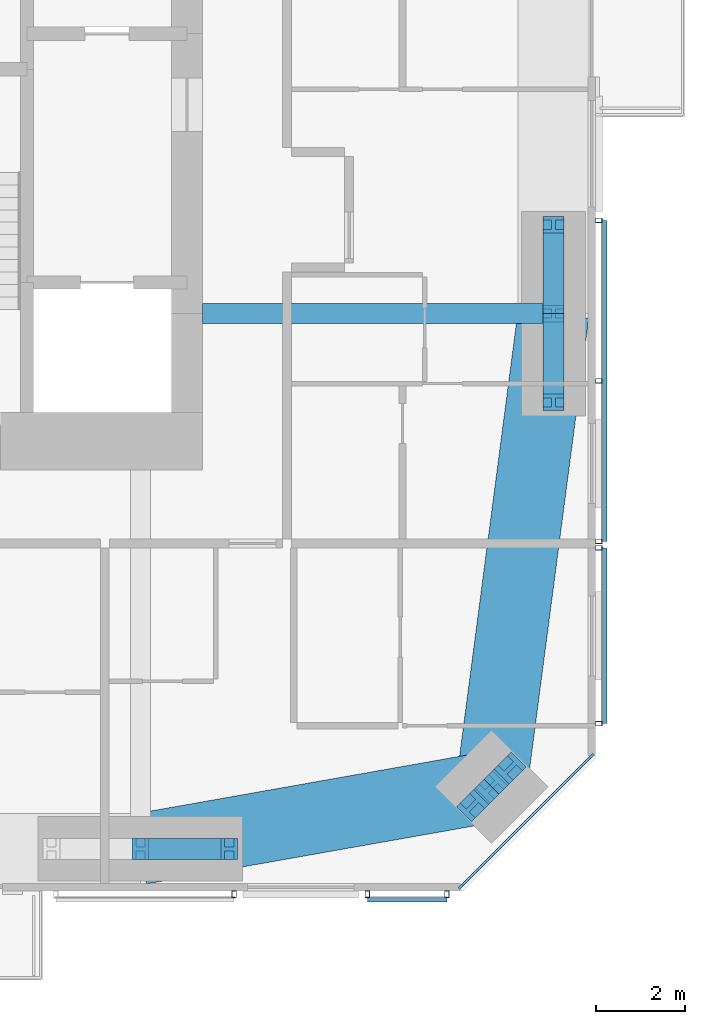
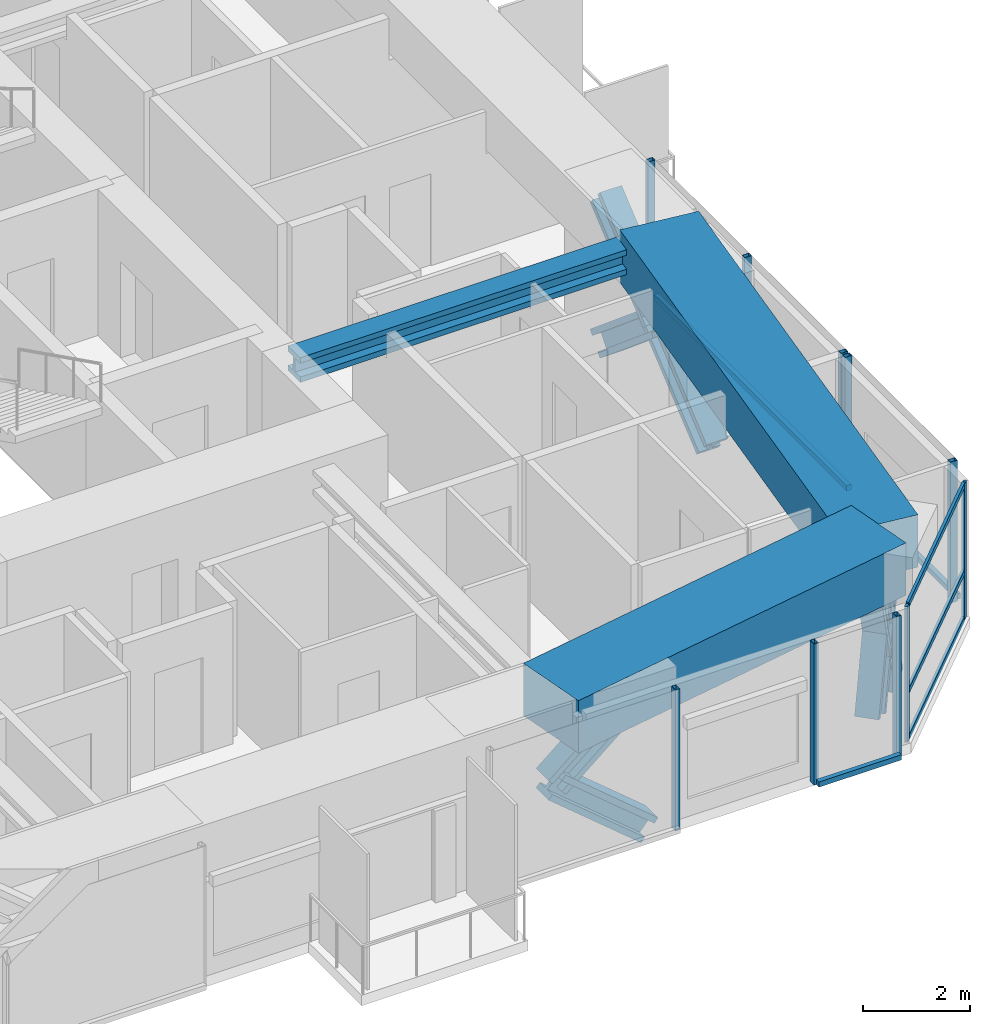
# One storey, part 7 of 23: 26 members, 3 beams, 5 elements without a shape of their own.
"""IFC4 building model written with IfcOpenShell, lengths in metres."""

from ifc_helpers import new_model, si_unit, direction, frame, origin, origin_2d, place, context, subcontext, project, spatial, rectangle, hollow_rectangle, i_section, extrude, material, material_profile, profile_set, type_object, element, aggregate, save


model = new_model("IFC4")

# Units and contexts
model_context = context("Model", 3, precision=1e-05, world=origin(), true_north=direction((0.0, 1.0)))
body_context = subcontext(model_context, "Body", "Model", "MODEL_VIEW")
ifc_project = project(units=[si_unit("LENGTHUNIT", "METRE"), si_unit("AREAUNIT", "SQUARE_METRE"), si_unit("VOLUMEUNIT", "CUBIC_METRE"), si_unit("PLANEANGLEUNIT", "RADIAN"), si_unit("MASSUNIT", "GRAM", prefix="KILO")], contexts=[model_context])

# Site, building, storey
site_placement = place(None, origin())
site = spatial("IfcSite", under=ifc_project, at=site_placement, CompositionType="ELEMENT")
building_placement = place(site_placement, origin())
building = spatial("IfcBuilding", under=site, at=building_placement, Name="Jalousie Tower", CompositionType="ELEMENT")
storey_placement = place(building_placement, frame((0.0, 0.0, 164.39990234375)))
storey = spatial("IfcBuildingStorey", under=building, at=storey_placement, Name="L44", CompositionType="ELEMENT", Elevation=164.39990234375)

# Curtain wall, members
ifc_material_1 = material(Name="Aluminium curtain wall", Category="aluminium")
curtain_wall_type_1 = type_object("IfcCurtainWallType", Name="CORNER WINDOW WALL", PredefinedType="USERDEFINED", material=ifc_material_1)
curtain_wall_1_placement = place(storey_placement, origin())
curtain_wall_1 = element("IfcCurtainWall", 1, at=curtain_wall_1_placement, inside=storey, type_object=curtain_wall_type_1, Name="Corner Window Wall L44 2", ObjectType="CORNER WINDOW WALL", PredefinedType="USERDEFINED")
ifc_material_2 = material(Name="Aluminium mullion", Category="aluminium")
ifc_material_profile_1 = material_profile(ifc_material_2, rectangle(XDim=0.06005859375, YDim=0.14990234375, at=origin_2d()), Name="MULLION 60x150")
ifc_profile_set_1 = profile_set([ifc_material_profile_1], Name="Aluminium mullion")
member_type_1 = type_object("IfcMemberType", Name="CORNER WINDOW WALL MULLION", PredefinedType="MULLION", material=ifc_profile_set_1)
member_1_placement = place(storey_placement, frame((49.969970703125, 0.108642578125, 0.0), z_axis=(0.0, 0.0, 1.0), x_axis=(-0.707106781187, 0.707106781187, 0.0)))
member_1 = element("IfcMember", 2, at=member_1_placement, type_object=member_type_1, Name="CW-C mullion 1", PredefinedType="MULLION", context=body_context, shape_type="SweptSolid", body=[
    extrude(rectangle(XDim=0.06005859375, YDim=0.14990234375, at=origin_2d()), origin(), (0.0, 0.0, 1.0), 3.110107421875),
])
member_2_placement = place(storey_placement, frame((52.891357421875, 3.030029296875, 0.0), z_axis=(0.0, 0.0, 1.0), x_axis=(-0.707106781187, 0.707106781187, 0.0)))
member_2 = element("IfcMember", 3, at=member_2_placement, type_object=member_type_1, Name="CW-C mullion 2", PredefinedType="MULLION", context=body_context, shape_type="SweptSolid", body=[
    extrude(rectangle(XDim=0.06005859375, YDim=0.14990234375, at=origin_2d()), origin(), (0.0, 0.0, 1.0), 3.110107421875),
])
ifc_material_3 = material(Name="Aluminium transom", Category="aluminium")
ifc_material_profile_2 = material_profile(ifc_material_3, rectangle(XDim=0.06005859375, YDim=0.1201171875, at=origin_2d()), Name="TRANSOM 60x120")
ifc_profile_set_2 = profile_set([ifc_material_profile_2], Name="Aluminium transom")
member_type_2 = type_object("IfcMemberType", Name="CORNER WINDOW WALL TRANSOM", PredefinedType="USERDEFINED", material=ifc_profile_set_2)
member_3_placement = place(storey_placement, frame((49.9912109375, 0.1298828125, 0.030029296875), z_axis=(0.707106781187, 0.707106781187, 0.0), x_axis=(-0.707106781187, 0.707106781187, 0.0)))
member_3 = element("IfcMember", 4, at=member_3_placement, type_object=member_type_2, Name="CW-C transom 1.1", ObjectType="TRANSOM", PredefinedType="USERDEFINED", context=body_context, shape_type="SweptSolid", body=[
    extrude(rectangle(XDim=0.06005859375, YDim=0.1201171875, at=origin_2d()), origin(), (0.0, 0.0, 1.0), 4.0712890625),
])
member_4_placement = place(storey_placement, frame((49.9912109375, 0.1298828125, 1.10009765625), z_axis=(0.707106781187, 0.707106781187, 0.0), x_axis=(-0.707106781187, 0.707106781187, 0.0)))
member_4 = element("IfcMember", 5, at=member_4_placement, type_object=member_type_2, Name="CW-C transom 1.2", ObjectType="TRANSOM", PredefinedType="USERDEFINED", context=body_context, shape_type="SweptSolid", body=[
    extrude(rectangle(XDim=0.06005859375, YDim=0.1201171875, at=origin_2d()), origin(), (0.0, 0.0, 1.0), 4.0712890625),
])
member_5_placement = place(storey_placement, frame((49.9912109375, 0.1298828125, 3.080078125), z_axis=(0.707106781187, 0.707106781187, 0.0), x_axis=(-0.707106781187, 0.707106781187, 0.0)))
member_5 = element("IfcMember", 6, at=member_5_placement, type_object=member_type_2, Name="CW-C transom 1.3", ObjectType="TRANSOM", PredefinedType="USERDEFINED", context=body_context, shape_type="SweptSolid", body=[
    extrude(rectangle(XDim=0.06005859375, YDim=0.1201171875, at=origin_2d()), origin(), (0.0, 0.0, 1.0), 4.0712890625),
])
aggregate(curtain_wall_1, [member_1, member_2, member_3, member_4, member_5])

# Beam
ifc_material_4 = material(Name="Steel ASTM A992 Grade 50", Category="steel")
ifc_material_profile_3 = material_profile(ifc_material_4, i_section(OverallWidth=0.45458984375, OverallDepth=0.569091796875, WebThickness=0.077880859375, FlangeThickness=0.124755859375, at=origin_2d()), Name="W14X730")
ifc_profile_set_3 = profile_set([ifc_material_profile_3], Name="Steel ASTM A992 Grade 50")
beam_type_1 = type_object("IfcBeamType", Name="LEAN COLLECTOR W14X730", PredefinedType="BEAM", material=ifc_profile_set_3)
beam_1_placement = place(storey_placement, frame((52.050048828125, 13.0, 2.82568359375), z_axis=(-1.0, 0.0, 0.0), x_axis=(0.0, -1.0, 0.0)))
element("IfcBeam", 7, at=beam_1_placement, inside=storey, type_object=beam_type_1, Name="Lean collector under L45", PredefinedType="BEAM", context=body_context, shape_type="SweptSolid", body=[
    extrude(i_section(OverallWidth=0.45458984375, OverallDepth=0.569091796875, WebThickness=0.077880859375, FlangeThickness=0.124755859375, at=origin_2d()), origin(), (0.0, 0.0, 1.0), 7.900146484375),
])

# Members
ifc_material_5 = material(Name="Steel ASTM A992 Grade 50", Category="steel")
ifc_material_profile_4 = material_profile(ifc_material_5, i_section(OverallWidth=0.472412109375, OverallDepth=0.5791015625, WebThickness=0.094970703125, FlangeThickness=0.1298828125, at=origin_2d()), Name="W14X808")
ifc_profile_set_4 = profile_set([ifc_material_profile_4], Name="Steel ASTM A992 Grade 50")
member_type_3 = type_object("IfcMemberType", Name="PERIMETER BRACE W14X808", PredefinedType="BRACE", material=ifc_profile_set_4)
member_6_placement = place(storey_placement, frame((42.75, 0.949951171875, 1.0751953125), z_axis=(0.766684820047, 0.0, 0.642023665225), x_axis=(0.0, 1.0, 0.0)))
element("IfcMember", 8, at=member_6_placement, inside=storey, type_object=member_type_3, Name="Perimeter brace 04 L44 part 2", PredefinedType="BRACE", context=body_context, shape_type="SweptSolid", body=[
    extrude(i_section(OverallWidth=0.472412109375, OverallDepth=0.5791015625, WebThickness=0.094970703125, FlangeThickness=0.1298828125, at=origin_2d()), origin(), (0.0, 0.0, 1.0), 2.608642578125),
])
member_7_placement = place(storey_placement, frame((44.75, 0.949951171875, -0.599853515625), z_axis=(-0.766638753323, 0.0, 0.642078672674), x_axis=(0.0, -1.0, 0.0)))
element("IfcMember", 9, at=member_7_placement, inside=storey, type_object=member_type_3, Name="Perimeter brace 04 L44 part 3", PredefinedType="BRACE", context=body_context, shape_type="SweptSolid", body=[
    extrude(i_section(OverallWidth=0.472412109375, OverallDepth=0.5791015625, WebThickness=0.094970703125, FlangeThickness=0.1298828125, at=origin_2d()), origin(), (0.0, 0.0, 1.0), 2.60888671875),
])
member_8_placement = place(storey_placement, frame((50.227294921875, 1.92431640625, -0.599853515625), z_axis=(0.238482757655, 0.238345540878, 0.941444303953), x_axis=(-0.706903267951, 0.707310235866, 0.0)))
element("IfcMember", 10, at=member_8_placement, inside=storey, type_object=member_type_3, Name="Perimeter brace 05 L44 part 1", PredefinedType="BRACE", context=body_context, shape_type="SweptSolid", body=[
    extrude(i_section(OverallWidth=0.472412109375, OverallDepth=0.5791015625, WebThickness=0.094970703125, FlangeThickness=0.1298828125, at=origin_2d()), origin(), (0.0, 0.0, 1.0), 1.779296875),
])
member_9_placement = place(storey_placement, frame((50.651611328125, 2.348388671875, 1.0751953125), z_axis=(0.238376334543, 0.238513569048, 0.941428701766), x_axis=(-0.707310235866, 0.706903267951, 0.0)))
element("IfcMember", 11, at=member_9_placement, inside=storey, type_object=member_type_3, Name="Perimeter brace 05 L44 part 2", PredefinedType="BRACE", context=body_context, shape_type="SweptSolid", body=[
    extrude(i_section(OverallWidth=0.472412109375, OverallDepth=0.5791015625, WebThickness=0.094970703125, FlangeThickness=0.1298828125, at=origin_2d()), origin(), (0.0, 0.0, 1.0), 1.779052734375),
])
member_10_placement = place(storey_placement, frame((51.07568359375, 2.772705078125, -0.599853515625), z_axis=(-0.238345540878, -0.238482757655, 0.941444303953), x_axis=(0.707310235866, -0.706903267951, 0.0)))
element("IfcMember", 12, at=member_10_placement, inside=storey, type_object=member_type_3, Name="Perimeter brace 05 L44 part 3", PredefinedType="BRACE", context=body_context, shape_type="SweptSolid", body=[
    extrude(i_section(OverallWidth=0.472412109375, OverallDepth=0.5791015625, WebThickness=0.094970703125, FlangeThickness=0.1298828125, at=origin_2d()), origin(), (0.0, 0.0, 1.0), 1.779296875),
])
member_11_placement = place(storey_placement, frame((50.651611328125, 2.348388671875, 1.0751953125), z_axis=(-0.238513569048, -0.238376334543, 0.941428701766), x_axis=(0.706903267951, -0.707310235866, 0.0)))
element("IfcMember", 13, at=member_11_placement, inside=storey, type_object=member_type_3, Name="Perimeter brace 05 L44 part 4", PredefinedType="BRACE", context=body_context, shape_type="SweptSolid", body=[
    extrude(i_section(OverallWidth=0.472412109375, OverallDepth=0.5791015625, WebThickness=0.094970703125, FlangeThickness=0.1298828125, at=origin_2d()), origin(), (0.0, 0.0, 1.0), 1.779052734375),
])
member_12_placement = place(storey_placement, frame((52.050048828125, 11.0, -0.599853515625), z_axis=(0.0, 0.766638753323, 0.642078672674), x_axis=(-1.0, 0.0, 0.0)))
element("IfcMember", 14, at=member_12_placement, inside=storey, type_object=member_type_3, Name="Perimeter brace 06 L44 part 1", PredefinedType="BRACE", context=body_context, shape_type="SweptSolid", body=[
    extrude(i_section(OverallWidth=0.472412109375, OverallDepth=0.5791015625, WebThickness=0.094970703125, FlangeThickness=0.1298828125, at=origin_2d()), origin(), (0.0, 0.0, 1.0), 2.60888671875),
])
member_13_placement = place(storey_placement, frame((52.050048828125, 13.0, 1.0751953125), z_axis=(0.0, 0.766684820047, 0.642023665225), x_axis=(-1.0, 0.0, 0.0)))
element("IfcMember", 15, at=member_13_placement, inside=storey, type_object=member_type_3, Name="Perimeter brace 06 L44 part 2", PredefinedType="BRACE", context=body_context, shape_type="SweptSolid", body=[
    extrude(i_section(OverallWidth=0.472412109375, OverallDepth=0.5791015625, WebThickness=0.094970703125, FlangeThickness=0.1298828125, at=origin_2d()), origin(), (0.0, 0.0, 1.0), 2.608642578125),
])
member_14_placement = place(storey_placement, frame((52.050048828125, 15.0, -0.599853515625), z_axis=(0.0, -0.766638753323, 0.642078672674), x_axis=(1.0, 0.0, 0.0)))
element("IfcMember", 16, at=member_14_placement, inside=storey, type_object=member_type_3, Name="Perimeter brace 06 L44 part 3", PredefinedType="BRACE", context=body_context, shape_type="SweptSolid", body=[
    extrude(i_section(OverallWidth=0.472412109375, OverallDepth=0.5791015625, WebThickness=0.094970703125, FlangeThickness=0.1298828125, at=origin_2d()), origin(), (0.0, 0.0, 1.0), 2.60888671875),
])
member_15_placement = place(storey_placement, frame((52.050048828125, 13.0, 1.0751953125), z_axis=(0.0, -0.766684820047, 0.642023665225), x_axis=(1.0, 0.0, 0.0)))
element("IfcMember", 17, at=member_15_placement, inside=storey, type_object=member_type_3, Name="Perimeter brace 06 L44 part 4", PredefinedType="BRACE", context=body_context, shape_type="SweptSolid", body=[
    extrude(i_section(OverallWidth=0.472412109375, OverallDepth=0.5791015625, WebThickness=0.094970703125, FlangeThickness=0.1298828125, at=origin_2d()), origin(), (0.0, 0.0, 1.0), 2.608642578125),
])

# Beams
ifc_material_6 = material(Name="Concrete f'c 40 MPa", Category="concrete")
ifc_material_profile_5 = material_profile(ifc_material_6, rectangle(XDim=1.60009765625, YDim=1.199951171875, at=origin_2d()), Name="RC 1600x1200")
ifc_profile_set_5 = profile_set([ifc_material_profile_5], Name="Concrete f'c 40 MPa")
beam_type_2 = type_object("IfcBeamType", Name="RC BEAM 1600x1200", PredefinedType="BEAM", material=ifc_profile_set_5)
beam_2_placement = place(storey_placement, frame((42.75, 0.949951171875, 2.75), z_axis=(0.984697370688, 0.174273027632, 0.0), x_axis=(-0.174273027632, 0.984697370688, 0.0)))
element("IfcBeam", 18, at=beam_2_placement, inside=storey, type_object=beam_type_2, Name="Edge band beam 04-05 under L45", PredefinedType="BEAM", context=body_context, shape_type="SweptSolid", body=[
    extrude(rectangle(XDim=1.60009765625, YDim=1.199951171875, at=origin_2d()), origin(), (0.0, 0.0, 1.0), 8.0244140625),
])
beam_3_placement = place(storey_placement, frame((50.651611328125, 2.348388671875, 2.75), z_axis=(0.130171745558, 0.991491460709, 0.0), x_axis=(-0.991491460709, 0.130171745558, 0.0)))
element("IfcBeam", 19, at=beam_3_placement, inside=storey, type_object=beam_type_2, Name="Edge band beam 05-06 under L45", PredefinedType="BEAM", context=body_context, shape_type="SweptSolid", body=[
    extrude(rectangle(XDim=1.60009765625, YDim=1.199951171875, at=origin_2d()), origin(), (0.0, 0.0, 1.0), 10.742919921875),
])

# Curtain wall, member
ifc_material_7 = material(Name="Perforated aluminium sheet", Category="aluminium")
curtain_wall_type_2 = type_object("IfcCurtainWallType", Name="SOLAR SCREEN SS-1", PredefinedType="USERDEFINED", material=ifc_material_7)
curtain_wall_2_placement = place(storey_placement, origin())
curtain_wall_2 = element("IfcCurtainWall", 20, at=curtain_wall_2_placement, inside=storey, type_object=curtain_wall_type_2, Name="Solar screen L44", ObjectType="SOLAR SCREEN SS-1", PredefinedType="USERDEFINED")
ifc_material_8 = material(Name="Steel ASTM A500 Grade C", Category="steel")
ifc_material_profile_6 = material_profile(ifc_material_8, hollow_rectangle(XDim=0.1015625, YDim=0.15234375, WallThickness=0.00634765625, at=origin_2d()), Name="HSS6X4X1/4")
ifc_profile_set_6 = profile_set([ifc_material_profile_6], Name="Steel ASTM A500 Grade C")
member_type_4 = type_object("IfcMemberType", Name="SOLAR SCREEN SS-1 MULLION", PredefinedType="MULLION", material=ifc_profile_set_6)
member_16_placement = place(storey_placement, frame((44.859375, -0.0712890625, -0.119873046875), z_axis=(0.0, 0.0, 1.0), x_axis=(1.0, 0.0, 0.0)))
member_16 = element("IfcMember", 21, at=member_16_placement, type_object=member_type_4, Name="SS1 post 2", PredefinedType="MULLION", context=body_context, shape_type="SweptSolid", body=[
    extrude(hollow_rectangle(XDim=0.1015625, YDim=0.15234375, WallThickness=0.00634765625, at=origin_2d()), origin(), (0.0, 0.0, 1.0), 3.22998046875),
])
aggregate(curtain_wall_2, [member_16])

# Curtain wall, members
curtain_wall_3_placement = place(storey_placement, origin())
curtain_wall_3 = element("IfcCurtainWall", 22, at=curtain_wall_3_placement, inside=storey, type_object=curtain_wall_type_2, Name="Solar screen L44", ObjectType="SOLAR SCREEN SS-1", PredefinedType="USERDEFINED")
member_17_placement = place(storey_placement, frame((47.859375, -0.0712890625, -0.119873046875), z_axis=(0.0, 0.0, 1.0), x_axis=(1.0, 0.0, 0.0)))
member_17 = element("IfcMember", 23, at=member_17_placement, type_object=member_type_4, Name="SS1 post 1", PredefinedType="MULLION", context=body_context, shape_type="SweptSolid", body=[
    extrude(hollow_rectangle(XDim=0.1015625, YDim=0.15234375, WallThickness=0.00634765625, at=origin_2d()), origin(), (0.0, 0.0, 1.0), 3.22998046875),
])
member_18_placement = place(storey_placement, frame((49.648681640625, -0.0712890625, -0.119873046875), z_axis=(0.0, 0.0, 1.0), x_axis=(1.0, 0.0, 0.0)))
member_18 = element("IfcMember", 24, at=member_18_placement, type_object=member_type_4, Name="SS1 post 2", PredefinedType="MULLION", context=body_context, shape_type="SweptSolid", body=[
    extrude(hollow_rectangle(XDim=0.1015625, YDim=0.15234375, WallThickness=0.00634765625, at=origin_2d()), origin(), (0.0, 0.0, 1.0), 3.22998046875),
])

curtain_wall_4_placement = place(storey_placement, origin())
curtain_wall_4 = element("IfcCurtainWall", 25, at=curtain_wall_4_placement, inside=storey, type_object=curtain_wall_type_2, Name="Solar screen L44", ObjectType="SOLAR SCREEN SS-1", PredefinedType="USERDEFINED")
member_19_placement = place(storey_placement, frame((53.0712890625, 3.771240234375, -0.119873046875), z_axis=(0.0, 0.0, 1.0), x_axis=(0.0, 1.0, 0.0)))
member_19 = element("IfcMember", 26, at=member_19_placement, type_object=member_type_4, Name="SS1 post 1", PredefinedType="MULLION", context=body_context, shape_type="SweptSolid", body=[
    extrude(hollow_rectangle(XDim=0.1015625, YDim=0.15234375, WallThickness=0.00634765625, at=origin_2d()), origin(), (0.0, 0.0, 1.0), 3.22998046875),
])
member_20_placement = place(storey_placement, frame((53.0712890625, 7.72509765625, -0.119873046875), z_axis=(0.0, 0.0, 1.0), x_axis=(0.0, 1.0, 0.0)))
member_20 = element("IfcMember", 27, at=member_20_placement, type_object=member_type_4, Name="SS1 post 2", PredefinedType="MULLION", context=body_context, shape_type="SweptSolid", body=[
    extrude(hollow_rectangle(XDim=0.1015625, YDim=0.15234375, WallThickness=0.00634765625, at=origin_2d()), origin(), (0.0, 0.0, 1.0), 3.22998046875),
])

curtain_wall_5_placement = place(storey_placement, origin())
curtain_wall_5 = element("IfcCurtainWall", 28, at=curtain_wall_5_placement, inside=storey, type_object=curtain_wall_type_2, Name="Solar screen L44", ObjectType="SOLAR SCREEN SS-1", PredefinedType="USERDEFINED")
member_21_placement = place(storey_placement, frame((53.0712890625, 7.875, -0.119873046875), z_axis=(0.0, 0.0, 1.0), x_axis=(0.0, 1.0, 0.0)))
member_21 = element("IfcMember", 29, at=member_21_placement, type_object=member_type_4, Name="SS1 post 1", PredefinedType="MULLION", context=body_context, shape_type="SweptSolid", body=[
    extrude(hollow_rectangle(XDim=0.1015625, YDim=0.15234375, WallThickness=0.00634765625, at=origin_2d()), origin(), (0.0, 0.0, 1.0), 3.22998046875),
])
member_22_placement = place(storey_placement, frame((53.0712890625, 11.487548828125, -0.119873046875), z_axis=(0.0, 0.0, 1.0), x_axis=(0.0, 1.0, 0.0)))
member_22 = element("IfcMember", 30, at=member_22_placement, type_object=member_type_4, Name="SS1 post 2", PredefinedType="MULLION", context=body_context, shape_type="SweptSolid", body=[
    extrude(hollow_rectangle(XDim=0.1015625, YDim=0.15234375, WallThickness=0.00634765625, at=origin_2d()), origin(), (0.0, 0.0, 1.0), 3.22998046875),
])
member_23_placement = place(storey_placement, frame((53.0712890625, 15.10009765625, -0.119873046875), z_axis=(0.0, 0.0, 1.0), x_axis=(0.0, 1.0, 0.0)))
member_23 = element("IfcMember", 31, at=member_23_placement, type_object=member_type_4, Name="SS1 post 3", PredefinedType="MULLION", context=body_context, shape_type="SweptSolid", body=[
    extrude(hollow_rectangle(XDim=0.1015625, YDim=0.15234375, WallThickness=0.00634765625, at=origin_2d()), origin(), (0.0, 0.0, 1.0), 3.22998046875),
])

# Member
ifc_material_9 = material(Name="Extruded aluminium screen rail", Category="aluminium")
ifc_material_profile_7 = material_profile(ifc_material_9, rectangle(XDim=0.1015625, YDim=0.1201171875, at=origin_2d()), Name="RAIL 102x120")
ifc_profile_set_7 = profile_set([ifc_material_profile_7], Name="Extruded aluminium screen rail")
member_type_5 = type_object("IfcMemberType", Name="SOLAR SCREEN SS-1 TRANSOM", PredefinedType="USERDEFINED", material=ifc_profile_set_7)
member_24_placement = place(storey_placement, frame((47.859375, -0.1982421875, -0.059814453125), z_axis=(1.0, 0.0, 0.0), x_axis=(0.0, 1.0, 0.0)))
member_24 = element("IfcMember", 32, at=member_24_placement, type_object=member_type_5, Name="SS1 rail", ObjectType="TRANSOM", PredefinedType="USERDEFINED", context=body_context, shape_type="SweptSolid", body=[
    extrude(rectangle(XDim=0.1015625, YDim=0.1201171875, at=origin_2d()), origin(), (0.0, 0.0, 1.0), 1.789306640625),
])

aggregate(curtain_wall_3, [member_17, member_18, member_24])

member_25_placement = place(storey_placement, frame((53.1982421875, 3.771240234375, -0.059814453125), z_axis=(0.0, 1.0, 0.0), x_axis=(-1.0, 0.0, 0.0)))
member_25 = element("IfcMember", 33, at=member_25_placement, type_object=member_type_5, Name="SS1 rail", ObjectType="TRANSOM", PredefinedType="USERDEFINED", context=body_context, shape_type="SweptSolid", body=[
    extrude(rectangle(XDim=0.1015625, YDim=0.1201171875, at=origin_2d()), origin(), (0.0, 0.0, 1.0), 3.953857421875),
])

aggregate(curtain_wall_4, [member_19, member_20, member_25])

member_26_placement = place(storey_placement, frame((53.1982421875, 7.875, -0.059814453125), z_axis=(0.0, 1.0, 0.0), x_axis=(-1.0, 0.0, 0.0)))
member_26 = element("IfcMember", 34, at=member_26_placement, type_object=member_type_5, Name="SS1 rail", ObjectType="TRANSOM", PredefinedType="USERDEFINED", context=body_context, shape_type="SweptSolid", body=[
    extrude(rectangle(XDim=0.1015625, YDim=0.1201171875, at=origin_2d()), origin(), (0.0, 0.0, 1.0), 7.22509765625),
])

aggregate(curtain_wall_5, [member_21, member_22, member_23, member_26])

save(model, "model.ifc")
